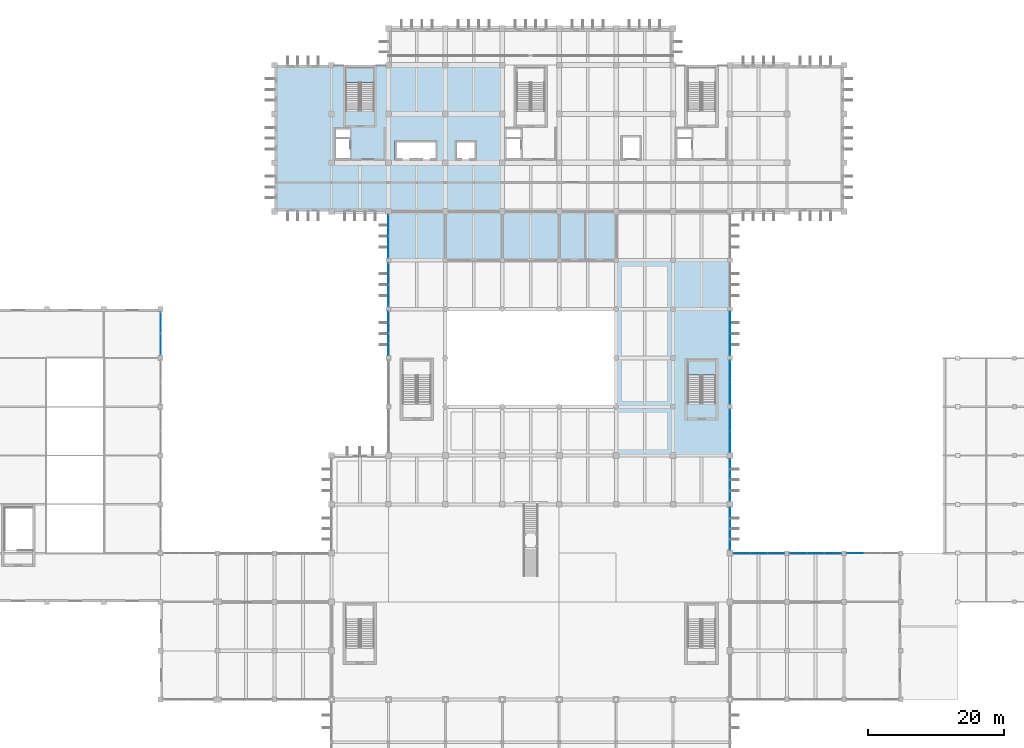
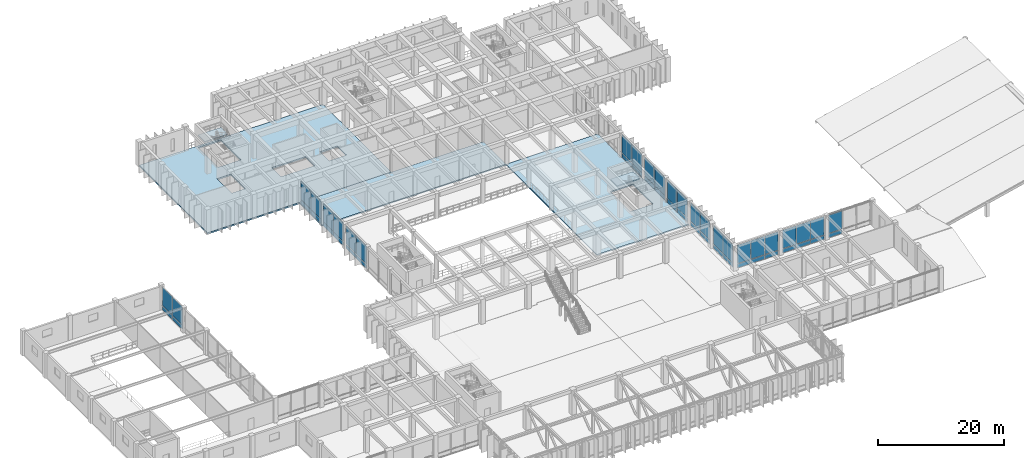
# One storey, part 29 of 51: 50 plates, 5 slabs, 14 elements without a shape of their own.
"""IFC4 building model written with IfcOpenShell, lengths in metres."""

from ifc_helpers import new_model, si_unit, direction, frame, origin, origin_2d, place, context, subcontext, project, spatial, polyline, rectangle, outline, extrude, material, layer, layer_set, type_object, element, aggregate, save


model = new_model("IFC4")

# Units and contexts
model_context = context("Model", 3, precision=1e-05, world=origin(), true_north=direction((0.0, 1.0)))
body_context = subcontext(model_context, "Body", "Model", "MODEL_VIEW")
ifc_project = project(units=[si_unit("LENGTHUNIT", "METRE"), si_unit("AREAUNIT", "SQUARE_METRE"), si_unit("VOLUMEUNIT", "CUBIC_METRE"), si_unit("PLANEANGLEUNIT", "RADIAN"), si_unit("MASSUNIT", "GRAM", prefix="KILO")], contexts=[model_context])

# Site, building, storey
site_placement = place(None, origin())
site = spatial("IfcSite", under=ifc_project, at=site_placement, CompositionType="ELEMENT")
building_placement = place(site_placement, origin())
building = spatial("IfcBuilding", under=site, at=building_placement, Name="Kenerak Square Central Library", CompositionType="ELEMENT")
storey_placement = place(building_placement, frame((0.0, 0.0, 9.60009765625)))
storey = spatial("IfcBuildingStorey", under=building, at=storey_placement, Name="L02", CompositionType="ELEMENT", Elevation=9.60009765625)

# Curtain wall, plates
ifc_material_1 = material(Name="Anodised aluminium and solar-control low-E glazing", Category="aluminium")
curtain_wall_type_1 = type_object("IfcCurtainWallType", Name="Curtain Wall CW-V3-64x45 6450x4550", PredefinedType="USERDEFINED", material=ifc_material_1)
curtain_wall_1_placement = place(storey_placement, origin())
curtain_wall_1 = element("IfcCurtainWall", 1, at=curtain_wall_1_placement, inside=storey, type_object=curtain_wall_type_1, Name="Curtain Wall CW-V3-64x45 L02 0067", ObjectType="CURTAIN WALL", PredefinedType="USERDEFINED")
ifc_material_2 = material(Name="Acoustic solar-control low-E double glazing", Category="glass")
ifc_layer_1 = layer(ifc_material_2, 0.028076171875)
ifc_layer_set_1 = layer_set([ifc_layer_1], Name="Acoustic solar-control low-E double glazing")
plate_type_1 = type_object("IfcPlateType", Name="Acoustic Laminated Curtain Panel CP-28", PredefinedType="CURTAIN_PANEL", material=ifc_layer_set_1)
plate_1_placement = place(storey_placement, frame((33.199951171875, 72.392578125, 0.080078125), z_axis=(0.0, 0.0, 1.0), x_axis=(0.0, -1.0, 0.0)))
plate_1 = element("IfcPlate", 2, at=plate_1_placement, type_object=plate_type_1, Name="CW-V3-64x45 Panel 1.1", PredefinedType="CURTAIN_PANEL", context=body_context, shape_type="SweptSolid", body=[
    extrude(rectangle(XDim=3.10498046875, YDim=0.028076171875, at=origin_2d()), origin(), (0.0, 0.0, 1.0), 0.780029296875),
])
plate_2_placement = place(storey_placement, frame((33.199951171875, 72.392578125, 0.93994140625), z_axis=(0.0, 0.0, 1.0), x_axis=(0.0, -1.0, 0.0)))
plate_2 = element("IfcPlate", 3, at=plate_2_placement, type_object=plate_type_1, Name="CW-V3-64x45 Panel 1.2", PredefinedType="CURTAIN_PANEL", context=body_context, shape_type="SweptSolid", body=[
    extrude(rectangle(XDim=3.10498046875, YDim=0.028076171875, at=origin_2d()), origin(), (0.0, 0.0, 1.0), 3.530029296875),
])
plate_3_placement = place(storey_placement, frame((33.199951171875, 69.20751953125, 0.080078125), z_axis=(0.0, 0.0, 1.0), x_axis=(0.0, -1.0, 0.0)))
plate_3 = element("IfcPlate", 4, at=plate_3_placement, type_object=plate_type_1, Name="CW-V3-64x45 Panel 2.1", PredefinedType="CURTAIN_PANEL", context=body_context, shape_type="SweptSolid", body=[
    extrude(rectangle(XDim=3.10498046875, YDim=0.028076171875, at=origin_2d()), origin(), (0.0, 0.0, 1.0), 0.780029296875),
])
plate_4_placement = place(storey_placement, frame((33.199951171875, 69.20751953125, 0.93994140625), z_axis=(0.0, 0.0, 1.0), x_axis=(0.0, -1.0, 0.0)))
plate_4 = element("IfcPlate", 5, at=plate_4_placement, type_object=plate_type_1, Name="CW-V3-64x45 Panel 2.2", PredefinedType="CURTAIN_PANEL", context=body_context, shape_type="SweptSolid", body=[
    extrude(rectangle(XDim=3.10498046875, YDim=0.028076171875, at=origin_2d()), origin(), (0.0, 0.0, 1.0), 3.530029296875),
])
aggregate(curtain_wall_1, [plate_1, plate_2, plate_3, plate_4])

# Slabs
ifc_material_3 = material(Name="Concrete C40/50", Category="concrete")
ifc_layer_2 = layer(ifc_material_3, 0.22509765625)
ifc_layer_set_2 = layer_set([ifc_layer_2], Name="Concrete C40/50")
slab_type_1 = type_object("IfcSlabType", Name="General Reading Room Slab FS-225 C40/50", PredefinedType="FLOOR", material=ifc_layer_set_2)
slab_1_placement = place(storey_placement, frame((0.0, 0.0, -0.22509765625)))
element("IfcSlab", 6, at=slab_1_placement, inside=storey, type_object=slab_type_1, Name="V4 Floor Slab L02 045", PredefinedType="FLOOR", context=body_context, shape_type="SweptSolid", body=[
    extrude(outline(polyline([(66.800048828125, 81.60009765625), (66.800048828125, 88.800048828125), (100.39990234375, 88.800048828125), (100.39990234375, 81.60009765625), (66.800048828125, 81.60009765625)])), origin(), (0.0, 0.0, 1.0), 0.22509765625),
])
slab_2_placement = place(storey_placement, frame((0.0, 0.0, -0.22509765625)))
element("IfcSlab", 7, at=slab_2_placement, inside=storey, type_object=slab_type_1, Name="V4 Floor Slab L02 046", PredefinedType="FLOOR", context=body_context, shape_type="SweptSolid", body=[
    extrude(outline(polyline([(100.39990234375, 81.60009765625), (117.199951171875, 81.60009765625), (117.199951171875, 52.800048828125), (100.39990234375, 52.800048828125), (100.39990234375, 60.0), (100.39990234375, 74.39990234375), (100.39990234375, 81.60009765625)]), holes=[polyline([(115.080078125, 60.449951171875), (115.080078125, 66.800048828125), (110.919921875, 66.800048828125), (110.919921875, 60.449951171875), (115.080078125, 60.449951171875)])]), origin(), (0.0, 0.0, 1.0), 0.22509765625),
])

# Curtain wall, plates
curtain_wall_type_2 = type_object("IfcCurtainWallType", Name="Curtain Wall CW-V4-65x45 6500x4550", PredefinedType="USERDEFINED", material=ifc_material_1)
curtain_wall_2_placement = place(storey_placement, origin())
curtain_wall_2 = element("IfcCurtainWall", 8, at=curtain_wall_2_placement, inside=storey, type_object=curtain_wall_type_2, Name="Curtain Wall CW-V4-65x45 L02 0079", ObjectType="CURTAIN WALL", PredefinedType="USERDEFINED")
ifc_material_4 = material(Name="Solar-control low-E laminated double glazing", Category="glass")
ifc_layer_3 = layer(ifc_material_4, 0.02392578125)
ifc_layer_set_3 = layer_set([ifc_layer_3], Name="Solar-control low-E laminated double glazing")
plate_type_2 = type_object("IfcPlateType", Name="Low-E Double Glazed Curtain Panel CP-24", PredefinedType="CURTAIN_PANEL", material=ifc_layer_set_3)
plate_5_placement = place(storey_placement, frame((66.800048828125, 69.191162109375, 0.06494140625), z_axis=(0.0, 0.0, 1.0), x_axis=(0.0, 1.0, 0.0)))
plate_5 = element("IfcPlate", 9, at=plate_5_placement, type_object=plate_type_2, Name="CW-V4-65x45 Panel 1.1", PredefinedType="CURTAIN_PANEL", context=body_context, shape_type="SweptSolid", body=[
    extrude(rectangle(XDim=3.152587890625, YDim=0.02392578125, at=origin_2d()), origin(), (0.0, 0.0, 1.0), 0.802490234375),
])
plate_6_placement = place(storey_placement, frame((66.800048828125, 69.191162109375, 0.9326171875), z_axis=(0.0, 0.0, 1.0), x_axis=(0.0, 1.0, 0.0)))
plate_6 = element("IfcPlate", 10, at=plate_6_placement, type_object=plate_type_2, Name="CW-V4-65x45 Panel 1.2", PredefinedType="CURTAIN_PANEL", context=body_context, shape_type="SweptSolid", body=[
    extrude(rectangle(XDim=3.152587890625, YDim=0.02392578125, at=origin_2d()), origin(), (0.0, 0.0, 1.0), 3.552490234375),
])
plate_7_placement = place(storey_placement, frame((66.800048828125, 72.40869140625, 0.06494140625), z_axis=(0.0, 0.0, 1.0), x_axis=(0.0, 1.0, 0.0)))
plate_7 = element("IfcPlate", 11, at=plate_7_placement, type_object=plate_type_2, Name="CW-V4-65x45 Panel 2.1", PredefinedType="CURTAIN_PANEL", context=body_context, shape_type="SweptSolid", body=[
    extrude(rectangle(XDim=3.152587890625, YDim=0.02392578125, at=origin_2d()), origin(), (0.0, 0.0, 1.0), 0.802490234375),
])
plate_8_placement = place(storey_placement, frame((66.800048828125, 72.40869140625, 0.9326171875), z_axis=(0.0, 0.0, 1.0), x_axis=(0.0, 1.0, 0.0)))
plate_8 = element("IfcPlate", 12, at=plate_8_placement, type_object=plate_type_2, Name="CW-V4-65x45 Panel 2.2", PredefinedType="CURTAIN_PANEL", context=body_context, shape_type="SweptSolid", body=[
    extrude(rectangle(XDim=3.152587890625, YDim=0.02392578125, at=origin_2d()), origin(), (0.0, 0.0, 1.0), 3.552490234375),
])
aggregate(curtain_wall_2, [plate_5, plate_6, plate_7, plate_8])

curtain_wall_3_placement = place(storey_placement, origin())
curtain_wall_3 = element("IfcCurtainWall", 13, at=curtain_wall_3_placement, inside=storey, type_object=curtain_wall_type_2, Name="Curtain Wall CW-V4-65x45 L02 0080", ObjectType="CURTAIN WALL", PredefinedType="USERDEFINED")
plate_9_placement = place(storey_placement, frame((66.800048828125, 76.391357421875, 0.06494140625), z_axis=(0.0, 0.0, 1.0), x_axis=(0.0, 1.0, 0.0)))
plate_9 = element("IfcPlate", 14, at=plate_9_placement, type_object=plate_type_2, Name="CW-V4-65x45 Panel 1.1", PredefinedType="CURTAIN_PANEL", context=body_context, shape_type="SweptSolid", body=[
    extrude(rectangle(XDim=3.152587890625, YDim=0.02392578125, at=origin_2d()), origin(), (0.0, 0.0, 1.0), 0.802490234375),
])
plate_10_placement = place(storey_placement, frame((66.800048828125, 76.391357421875, 0.9326171875), z_axis=(0.0, 0.0, 1.0), x_axis=(0.0, 1.0, 0.0)))
plate_10 = element("IfcPlate", 15, at=plate_10_placement, type_object=plate_type_2, Name="CW-V4-65x45 Panel 1.2", PredefinedType="CURTAIN_PANEL", context=body_context, shape_type="SweptSolid", body=[
    extrude(rectangle(XDim=3.152587890625, YDim=0.02392578125, at=origin_2d()), origin(), (0.0, 0.0, 1.0), 3.552490234375),
])
plate_11_placement = place(storey_placement, frame((66.800048828125, 79.608642578125, 0.06494140625), z_axis=(0.0, 0.0, 1.0), x_axis=(0.0, 1.0, 0.0)))
plate_11 = element("IfcPlate", 16, at=plate_11_placement, type_object=plate_type_2, Name="CW-V4-65x45 Panel 2.1", PredefinedType="CURTAIN_PANEL", context=body_context, shape_type="SweptSolid", body=[
    extrude(rectangle(XDim=3.152587890625, YDim=0.02392578125, at=origin_2d()), origin(), (0.0, 0.0, 1.0), 0.802490234375),
])
plate_12_placement = place(storey_placement, frame((66.800048828125, 79.608642578125, 0.9326171875), z_axis=(0.0, 0.0, 1.0), x_axis=(0.0, 1.0, 0.0)))
plate_12 = element("IfcPlate", 17, at=plate_12_placement, type_object=plate_type_2, Name="CW-V4-65x45 Panel 2.2", PredefinedType="CURTAIN_PANEL", context=body_context, shape_type="SweptSolid", body=[
    extrude(rectangle(XDim=3.152587890625, YDim=0.02392578125, at=origin_2d()), origin(), (0.0, 0.0, 1.0), 3.552490234375),
])
aggregate(curtain_wall_3, [plate_9, plate_10, plate_11, plate_12])

curtain_wall_type_3 = type_object("IfcCurtainWallType", Name="Curtain Wall CW-V4-64x45 6425x4550", PredefinedType="USERDEFINED", material=ifc_material_1)
curtain_wall_4_placement = place(storey_placement, origin())
curtain_wall_4 = element("IfcCurtainWall", 18, at=curtain_wall_4_placement, inside=storey, type_object=curtain_wall_type_3, Name="Curtain Wall CW-V4-64x45 L02 0081", ObjectType="CURTAIN WALL", PredefinedType="USERDEFINED")
plate_13_placement = place(storey_placement, frame((66.800048828125, 83.572509765625, 0.06494140625), z_axis=(0.0, 0.0, 1.0), x_axis=(0.0, 1.0, 0.0)))
plate_13 = element("IfcPlate", 19, at=plate_13_placement, type_object=plate_type_2, Name="CW-V4-64x45 Panel 1.1", PredefinedType="CURTAIN_PANEL", context=body_context, shape_type="SweptSolid", body=[
    extrude(rectangle(XDim=3.114990234375, YDim=0.02392578125, at=origin_2d()), origin(), (0.0, 0.0, 1.0), 0.802490234375),
])
plate_14_placement = place(storey_placement, frame((66.800048828125, 83.572509765625, 0.9326171875), z_axis=(0.0, 0.0, 1.0), x_axis=(0.0, 1.0, 0.0)))
plate_14 = element("IfcPlate", 20, at=plate_14_placement, type_object=plate_type_2, Name="CW-V4-64x45 Panel 1.2", PredefinedType="CURTAIN_PANEL", context=body_context, shape_type="SweptSolid", body=[
    extrude(rectangle(XDim=3.114990234375, YDim=0.02392578125, at=origin_2d()), origin(), (0.0, 0.0, 1.0), 3.552490234375),
])
plate_15_placement = place(storey_placement, frame((66.800048828125, 86.75244140625, 0.06494140625), z_axis=(0.0, 0.0, 1.0), x_axis=(0.0, 1.0, 0.0)))
plate_15 = element("IfcPlate", 21, at=plate_15_placement, type_object=plate_type_2, Name="CW-V4-64x45 Panel 2.1", PredefinedType="CURTAIN_PANEL", context=body_context, shape_type="SweptSolid", body=[
    extrude(rectangle(XDim=3.114990234375, YDim=0.02392578125, at=origin_2d()), origin(), (0.0, 0.0, 1.0), 0.802490234375),
])
plate_16_placement = place(storey_placement, frame((66.800048828125, 86.75244140625, 0.9326171875), z_axis=(0.0, 0.0, 1.0), x_axis=(0.0, 1.0, 0.0)))
plate_16 = element("IfcPlate", 22, at=plate_16_placement, type_object=plate_type_2, Name="CW-V4-64x45 Panel 2.2", PredefinedType="CURTAIN_PANEL", context=body_context, shape_type="SweptSolid", body=[
    extrude(rectangle(XDim=3.114990234375, YDim=0.02392578125, at=origin_2d()), origin(), (0.0, 0.0, 1.0), 3.552490234375),
])
aggregate(curtain_wall_4, [plate_13, plate_14, plate_15, plate_16])

curtain_wall_5_placement = place(storey_placement, origin())
curtain_wall_5 = element("IfcCurtainWall", 23, at=curtain_wall_5_placement, inside=storey, type_object=curtain_wall_type_2, Name="Curtain Wall CW-V4-65x45 L02 0084", ObjectType="CURTAIN WALL", PredefinedType="USERDEFINED")
plate_17_placement = place(storey_placement, frame((117.199951171875, 72.40869140625, 0.06494140625), z_axis=(0.0, 0.0, 1.0), x_axis=(0.0, -1.0, 0.0)))
plate_17 = element("IfcPlate", 24, at=plate_17_placement, type_object=plate_type_2, Name="CW-V4-65x45 Panel 1.1", PredefinedType="CURTAIN_PANEL", context=body_context, shape_type="SweptSolid", body=[
    extrude(rectangle(XDim=3.152587890625, YDim=0.02392578125, at=origin_2d()), origin(), (0.0, 0.0, 1.0), 0.802490234375),
])
plate_18_placement = place(storey_placement, frame((117.199951171875, 72.40869140625, 0.9326171875), z_axis=(0.0, 0.0, 1.0), x_axis=(0.0, -1.0, 0.0)))
plate_18 = element("IfcPlate", 25, at=plate_18_placement, type_object=plate_type_2, Name="CW-V4-65x45 Panel 1.2", PredefinedType="CURTAIN_PANEL", context=body_context, shape_type="SweptSolid", body=[
    extrude(rectangle(XDim=3.152587890625, YDim=0.02392578125, at=origin_2d()), origin(), (0.0, 0.0, 1.0), 3.552490234375),
])
plate_19_placement = place(storey_placement, frame((117.199951171875, 69.191162109375, 0.06494140625), z_axis=(0.0, 0.0, 1.0), x_axis=(0.0, -1.0, 0.0)))
plate_19 = element("IfcPlate", 26, at=plate_19_placement, type_object=plate_type_2, Name="CW-V4-65x45 Panel 2.1", PredefinedType="CURTAIN_PANEL", context=body_context, shape_type="SweptSolid", body=[
    extrude(rectangle(XDim=3.152587890625, YDim=0.02392578125, at=origin_2d()), origin(), (0.0, 0.0, 1.0), 0.802490234375),
])
plate_20_placement = place(storey_placement, frame((117.199951171875, 69.191162109375, 0.9326171875), z_axis=(0.0, 0.0, 1.0), x_axis=(0.0, -1.0, 0.0)))
plate_20 = element("IfcPlate", 27, at=plate_20_placement, type_object=plate_type_2, Name="CW-V4-65x45 Panel 2.2", PredefinedType="CURTAIN_PANEL", context=body_context, shape_type="SweptSolid", body=[
    extrude(rectangle(XDim=3.152587890625, YDim=0.02392578125, at=origin_2d()), origin(), (0.0, 0.0, 1.0), 3.552490234375),
])
aggregate(curtain_wall_5, [plate_17, plate_18, plate_19, plate_20])

curtain_wall_6_placement = place(storey_placement, origin())
curtain_wall_6 = element("IfcCurtainWall", 28, at=curtain_wall_6_placement, inside=storey, type_object=curtain_wall_type_2, Name="Curtain Wall CW-V4-65x45 L02 0085", ObjectType="CURTAIN WALL", PredefinedType="USERDEFINED")
plate_21_placement = place(storey_placement, frame((117.199951171875, 65.208740234375, 0.06494140625), z_axis=(0.0, 0.0, 1.0), x_axis=(0.0, -1.0, 0.0)))
plate_21 = element("IfcPlate", 29, at=plate_21_placement, type_object=plate_type_2, Name="CW-V4-65x45 Panel 1.1", PredefinedType="CURTAIN_PANEL", context=body_context, shape_type="SweptSolid", body=[
    extrude(rectangle(XDim=3.152587890625, YDim=0.02392578125, at=origin_2d()), origin(), (0.0, 0.0, 1.0), 0.802490234375),
])
plate_22_placement = place(storey_placement, frame((117.199951171875, 65.208740234375, 0.9326171875), z_axis=(0.0, 0.0, 1.0), x_axis=(0.0, -1.0, 0.0)))
plate_22 = element("IfcPlate", 30, at=plate_22_placement, type_object=plate_type_2, Name="CW-V4-65x45 Panel 1.2", PredefinedType="CURTAIN_PANEL", context=body_context, shape_type="SweptSolid", body=[
    extrude(rectangle(XDim=3.152587890625, YDim=0.02392578125, at=origin_2d()), origin(), (0.0, 0.0, 1.0), 3.552490234375),
])
plate_23_placement = place(storey_placement, frame((117.199951171875, 61.9912109375, 0.06494140625), z_axis=(0.0, 0.0, 1.0), x_axis=(0.0, -1.0, 0.0)))
plate_23 = element("IfcPlate", 31, at=plate_23_placement, type_object=plate_type_2, Name="CW-V4-65x45 Panel 2.1", PredefinedType="CURTAIN_PANEL", context=body_context, shape_type="SweptSolid", body=[
    extrude(rectangle(XDim=3.152587890625, YDim=0.02392578125, at=origin_2d()), origin(), (0.0, 0.0, 1.0), 0.802490234375),
])
plate_24_placement = place(storey_placement, frame((117.199951171875, 61.9912109375, 0.9326171875), z_axis=(0.0, 0.0, 1.0), x_axis=(0.0, -1.0, 0.0)))
plate_24 = element("IfcPlate", 32, at=plate_24_placement, type_object=plate_type_2, Name="CW-V4-65x45 Panel 2.2", PredefinedType="CURTAIN_PANEL", context=body_context, shape_type="SweptSolid", body=[
    extrude(rectangle(XDim=3.152587890625, YDim=0.02392578125, at=origin_2d()), origin(), (0.0, 0.0, 1.0), 3.552490234375),
])
aggregate(curtain_wall_6, [plate_21, plate_22, plate_23, plate_24])

curtain_wall_type_4 = type_object("IfcCurtainWallType", Name="Curtain Wall CW-V4-64x45 6400x4550", PredefinedType="USERDEFINED", material=ifc_material_1)
curtain_wall_7_placement = place(storey_placement, origin())
curtain_wall_7 = element("IfcCurtainWall", 33, at=curtain_wall_7_placement, inside=storey, type_object=curtain_wall_type_4, Name="Curtain Wall CW-V4-64x45 L02 0086", ObjectType="CURTAIN WALL", PredefinedType="USERDEFINED")
plate_25_placement = place(storey_placement, frame((117.199951171875, 58.03369140625, 0.06494140625), z_axis=(0.0, 0.0, 1.0), x_axis=(0.0, -1.0, 0.0)))
plate_25 = element("IfcPlate", 34, at=plate_25_placement, type_object=plate_type_2, Name="CW-V4-64x45 Panel 1.1", PredefinedType="CURTAIN_PANEL", context=body_context, shape_type="SweptSolid", body=[
    extrude(rectangle(XDim=3.1025390625, YDim=0.02392578125, at=origin_2d()), origin(), (0.0, 0.0, 1.0), 0.802490234375),
])
plate_26_placement = place(storey_placement, frame((117.199951171875, 58.03369140625, 0.9326171875), z_axis=(0.0, 0.0, 1.0), x_axis=(0.0, -1.0, 0.0)))
plate_26 = element("IfcPlate", 35, at=plate_26_placement, type_object=plate_type_2, Name="CW-V4-64x45 Panel 1.2", PredefinedType="CURTAIN_PANEL", context=body_context, shape_type="SweptSolid", body=[
    extrude(rectangle(XDim=3.1025390625, YDim=0.02392578125, at=origin_2d()), origin(), (0.0, 0.0, 1.0), 3.552490234375),
])
plate_27_placement = place(storey_placement, frame((117.199951171875, 54.8662109375, 0.06494140625), z_axis=(0.0, 0.0, 1.0), x_axis=(0.0, -1.0, 0.0)))
plate_27 = element("IfcPlate", 36, at=plate_27_placement, type_object=plate_type_2, Name="CW-V4-64x45 Panel 2.1", PredefinedType="CURTAIN_PANEL", context=body_context, shape_type="SweptSolid", body=[
    extrude(rectangle(XDim=3.1025390625, YDim=0.02392578125, at=origin_2d()), origin(), (0.0, 0.0, 1.0), 0.802490234375),
])
plate_28_placement = place(storey_placement, frame((117.199951171875, 54.8662109375, 0.9326171875), z_axis=(0.0, 0.0, 1.0), x_axis=(0.0, -1.0, 0.0)))
plate_28 = element("IfcPlate", 37, at=plate_28_placement, type_object=plate_type_2, Name="CW-V4-64x45 Panel 2.2", PredefinedType="CURTAIN_PANEL", context=body_context, shape_type="SweptSolid", body=[
    extrude(rectangle(XDim=3.1025390625, YDim=0.02392578125, at=origin_2d()), origin(), (0.0, 0.0, 1.0), 3.552490234375),
])
aggregate(curtain_wall_7, [plate_25, plate_26, plate_27, plate_28])

curtain_wall_type_5 = type_object("IfcCurtainWallType", Name="Curtain Wall CW-V6-76x45 7600x4550", PredefinedType="USERDEFINED", material=ifc_material_1)
curtain_wall_8_placement = place(storey_placement, origin())
curtain_wall_8 = element("IfcCurtainWall", 38, at=curtain_wall_8_placement, inside=storey, type_object=curtain_wall_type_5, Name="Curtain Wall CW-V6-76x45 L02 0089", ObjectType="CURTAIN WALL", PredefinedType="USERDEFINED")
plate_29_placement = place(storey_placement, frame((118.932861328125, 38.39990234375, 0.06494140625), z_axis=(0.0, 0.0, 1.0), x_axis=(1.0, 0.0, 0.0)))
plate_29 = element("IfcPlate", 39, at=plate_29_placement, type_object=plate_type_2, Name="CW-V6-76x45 Panel 1.1", PredefinedType="CURTAIN_PANEL", context=body_context, shape_type="SweptSolid", body=[
    extrude(rectangle(XDim=2.435791015625, YDim=0.02392578125, at=origin_2d()), origin(), (0.0, 0.0, 1.0), 0.802490234375),
])
plate_30_placement = place(storey_placement, frame((118.932861328125, 38.39990234375, 0.9326171875), z_axis=(0.0, 0.0, 1.0), x_axis=(1.0, 0.0, 0.0)))
plate_30 = element("IfcPlate", 40, at=plate_30_placement, type_object=plate_type_2, Name="CW-V6-76x45 Panel 1.2", PredefinedType="CURTAIN_PANEL", context=body_context, shape_type="SweptSolid", body=[
    extrude(rectangle(XDim=2.435791015625, YDim=0.02392578125, at=origin_2d()), origin(), (0.0, 0.0, 1.0), 3.552490234375),
])
plate_31_placement = place(storey_placement, frame((121.449951171875, 38.39990234375, 0.06494140625), z_axis=(0.0, 0.0, 1.0), x_axis=(1.0, 0.0, 0.0)))
plate_31 = element("IfcPlate", 41, at=plate_31_placement, type_object=plate_type_2, Name="CW-V6-76x45 Panel 2.1", PredefinedType="CURTAIN_PANEL", context=body_context, shape_type="SweptSolid", body=[
    extrude(rectangle(XDim=2.46826171875, YDim=0.02392578125, at=origin_2d()), origin(), (0.0, 0.0, 1.0), 0.802490234375),
])
plate_32_placement = place(storey_placement, frame((121.449951171875, 38.39990234375, 0.9326171875), z_axis=(0.0, 0.0, 1.0), x_axis=(1.0, 0.0, 0.0)))
plate_32 = element("IfcPlate", 42, at=plate_32_placement, type_object=plate_type_2, Name="CW-V6-76x45 Panel 2.2", PredefinedType="CURTAIN_PANEL", context=body_context, shape_type="SweptSolid", body=[
    extrude(rectangle(XDim=2.46826171875, YDim=0.02392578125, at=origin_2d()), origin(), (0.0, 0.0, 1.0), 3.552490234375),
])
plate_33_placement = place(storey_placement, frame((123.967041015625, 38.39990234375, 0.06494140625), z_axis=(0.0, 0.0, 1.0), x_axis=(1.0, 0.0, 0.0)))
plate_33 = element("IfcPlate", 43, at=plate_33_placement, type_object=plate_type_2, Name="CW-V6-76x45 Panel 3.1", PredefinedType="CURTAIN_PANEL", context=body_context, shape_type="SweptSolid", body=[
    extrude(rectangle(XDim=2.435791015625, YDim=0.02392578125, at=origin_2d()), origin(), (0.0, 0.0, 1.0), 0.802490234375),
])
plate_34_placement = place(storey_placement, frame((123.967041015625, 38.39990234375, 0.9326171875), z_axis=(0.0, 0.0, 1.0), x_axis=(1.0, 0.0, 0.0)))
plate_34 = element("IfcPlate", 44, at=plate_34_placement, type_object=plate_type_2, Name="CW-V6-76x45 Panel 3.2", PredefinedType="CURTAIN_PANEL", context=body_context, shape_type="SweptSolid", body=[
    extrude(rectangle(XDim=2.435791015625, YDim=0.02392578125, at=origin_2d()), origin(), (0.0, 0.0, 1.0), 3.552490234375),
])
aggregate(curtain_wall_8, [plate_29, plate_30, plate_31, plate_32, plate_33, plate_34])

curtain_wall_type_6 = type_object("IfcCurtainWallType", Name="Curtain Wall CW-V6-77x45 7700x4550", PredefinedType="USERDEFINED", material=ifc_material_1)
curtain_wall_9_placement = place(storey_placement, origin())
curtain_wall_9 = element("IfcCurtainWall", 45, at=curtain_wall_9_placement, inside=storey, type_object=curtain_wall_type_6, Name="Curtain Wall CW-V6-77x45 L02 0090", ObjectType="CURTAIN WALL", PredefinedType="USERDEFINED")
plate_35_placement = place(storey_placement, frame((127.24951171875, 38.39990234375, 0.06494140625), z_axis=(0.0, 0.0, 1.0), x_axis=(1.0, 0.0, 0.0)))
plate_35 = element("IfcPlate", 46, at=plate_35_placement, type_object=plate_type_2, Name="CW-V6-77x45 Panel 1.1", PredefinedType="CURTAIN_PANEL", context=body_context, shape_type="SweptSolid", body=[
    extrude(rectangle(XDim=2.46923828125, YDim=0.02392578125, at=origin_2d()), origin(), (0.0, 0.0, 1.0), 0.802490234375),
])
plate_36_placement = place(storey_placement, frame((127.24951171875, 38.39990234375, 0.9326171875), z_axis=(0.0, 0.0, 1.0), x_axis=(1.0, 0.0, 0.0)))
plate_36 = element("IfcPlate", 47, at=plate_36_placement, type_object=plate_type_2, Name="CW-V6-77x45 Panel 1.2", PredefinedType="CURTAIN_PANEL", context=body_context, shape_type="SweptSolid", body=[
    extrude(rectangle(XDim=2.46923828125, YDim=0.02392578125, at=origin_2d()), origin(), (0.0, 0.0, 1.0), 3.552490234375),
])
plate_37_placement = place(storey_placement, frame((129.800048828125, 38.39990234375, 0.06494140625), z_axis=(0.0, 0.0, 1.0), x_axis=(1.0, 0.0, 0.0)))
plate_37 = element("IfcPlate", 48, at=plate_37_placement, type_object=plate_type_2, Name="CW-V6-77x45 Panel 2.1", PredefinedType="CURTAIN_PANEL", context=body_context, shape_type="SweptSolid", body=[
    extrude(rectangle(XDim=2.501708984375, YDim=0.02392578125, at=origin_2d()), origin(), (0.0, 0.0, 1.0), 0.802490234375),
])
plate_38_placement = place(storey_placement, frame((129.800048828125, 38.39990234375, 0.9326171875), z_axis=(0.0, 0.0, 1.0), x_axis=(1.0, 0.0, 0.0)))
plate_38 = element("IfcPlate", 49, at=plate_38_placement, type_object=plate_type_2, Name="CW-V6-77x45 Panel 2.2", PredefinedType="CURTAIN_PANEL", context=body_context, shape_type="SweptSolid", body=[
    extrude(rectangle(XDim=2.501708984375, YDim=0.02392578125, at=origin_2d()), origin(), (0.0, 0.0, 1.0), 3.552490234375),
])
plate_39_placement = place(storey_placement, frame((132.350341796875, 38.39990234375, 0.06494140625), z_axis=(0.0, 0.0, 1.0), x_axis=(1.0, 0.0, 0.0)))
plate_39 = element("IfcPlate", 50, at=plate_39_placement, type_object=plate_type_2, Name="CW-V6-77x45 Panel 3.1", PredefinedType="CURTAIN_PANEL", context=body_context, shape_type="SweptSolid", body=[
    extrude(rectangle(XDim=2.46923828125, YDim=0.02392578125, at=origin_2d()), origin(), (0.0, 0.0, 1.0), 0.802490234375),
])
plate_40_placement = place(storey_placement, frame((132.350341796875, 38.39990234375, 0.9326171875), z_axis=(0.0, 0.0, 1.0), x_axis=(1.0, 0.0, 0.0)))
plate_40 = element("IfcPlate", 51, at=plate_40_placement, type_object=plate_type_2, Name="CW-V6-77x45 Panel 3.2", PredefinedType="CURTAIN_PANEL", context=body_context, shape_type="SweptSolid", body=[
    extrude(rectangle(XDim=2.46923828125, YDim=0.02392578125, at=origin_2d()), origin(), (0.0, 0.0, 1.0), 3.552490234375),
])
aggregate(curtain_wall_9, [plate_35, plate_36, plate_37, plate_38, plate_39, plate_40])

curtain_wall_10_placement = place(storey_placement, origin())
curtain_wall_10 = element("IfcCurtainWall", 52, at=curtain_wall_10_placement, inside=storey, type_object=curtain_wall_type_6, Name="Curtain Wall CW-V6-77x45 L02 0091", ObjectType="CURTAIN WALL", PredefinedType="USERDEFINED")
plate_41_placement = place(storey_placement, frame((135.649658203125, 38.39990234375, 0.06494140625), z_axis=(0.0, 0.0, 1.0), x_axis=(1.0, 0.0, 0.0)))
plate_41 = element("IfcPlate", 53, at=plate_41_placement, type_object=plate_type_2, Name="CW-V6-77x45 Panel 1.1", PredefinedType="CURTAIN_PANEL", context=body_context, shape_type="SweptSolid", body=[
    extrude(rectangle(XDim=2.46923828125, YDim=0.02392578125, at=origin_2d()), origin(), (0.0, 0.0, 1.0), 0.802490234375),
])
plate_42_placement = place(storey_placement, frame((135.649658203125, 38.39990234375, 0.9326171875), z_axis=(0.0, 0.0, 1.0), x_axis=(1.0, 0.0, 0.0)))
plate_42 = element("IfcPlate", 54, at=plate_42_placement, type_object=plate_type_2, Name="CW-V6-77x45 Panel 1.2", PredefinedType="CURTAIN_PANEL", context=body_context, shape_type="SweptSolid", body=[
    extrude(rectangle(XDim=2.46923828125, YDim=0.02392578125, at=origin_2d()), origin(), (0.0, 0.0, 1.0), 3.552490234375),
])
aggregate(curtain_wall_10, [plate_41, plate_42])

# Slab
ifc_layer_4 = layer(ifc_material_3, 0.27490234375)
ifc_layer_set_4 = layer_set([ifc_layer_4], Name="Concrete C40/50")
slab_type_2 = type_object("IfcSlabType", Name="Open Book-Stack Slab FS-275 C40/50", PredefinedType="FLOOR", material=ifc_layer_set_4)
slab_3_placement = place(storey_placement, frame((0.0, 0.0, -0.275146484375)))
element("IfcSlab", 55, at=slab_3_placement, inside=storey, type_object=slab_type_2, Name="V5 Floor Slab L02 081", PredefinedType="FLOOR", context=body_context, shape_type="SweptSolid", body=[
    extrude(outline(polyline([(50.0, 88.800048828125), (50.0, 110.39990234375), (83.60009765625, 110.39990234375), (83.60009765625, 88.800048828125), (50.0, 88.800048828125)]), holes=[polyline([(64.679931640625, 103.64990234375), (64.679931640625, 110.0), (60.52001953125, 110.0), (60.52001953125, 103.64990234375), (64.679931640625, 103.64990234375)]), polyline([(67.800048828125, 96.39990234375), (74.0, 96.39990234375), (74.0, 99.300048828125), (67.800048828125, 99.300048828125), (67.800048828125, 96.39990234375)]), polyline([(76.60009765625, 96.39990234375), (79.800048828125, 96.39990234375), (79.800048828125, 99.300048828125), (76.60009765625, 99.300048828125), (76.60009765625, 96.39990234375)]), polyline([(58.800048828125, 96.39990234375), (61.300048828125, 96.39990234375), (61.300048828125, 101.0), (58.800048828125, 101.0), (58.800048828125, 96.39990234375)])]), origin(), (0.0, 0.0, 1.0), 0.275146484375),
])

# Stair, slab
stair_type = type_object("IfcStairType", Name="Exit Dogleg Stair ST-480 C40/50", PredefinedType="HALF_TURN_STAIR", material=ifc_material_3)
stair_1_placement = place(storey_placement, origin())
stair_1 = element("IfcStair", 56, at=stair_1_placement, inside=storey, type_object=stair_type, Name="L02 Protected Exit Stair ST-01", PredefinedType="HALF_TURN_STAIR")
ifc_layer_5 = layer(ifc_material_3, 0.199951171875)
ifc_layer_set_5 = layer_set([ifc_layer_5], Name="Concrete C40/50")
slab_type_3 = type_object("IfcSlabType", Name="Stair Half-Landing Slab LD-200 C40/50", PredefinedType="LANDING", material=ifc_layer_set_5)
slab_4_placement = place(storey_placement, frame((0.0, 0.0, 2.199951171875)))
slab_4 = element("IfcSlab", 57, at=slab_4_placement, type_object=slab_type_3, Name="ST-01 Landing 1", PredefinedType="LANDING", context=body_context, shape_type="SweptSolid", body=[
    extrude(outline(polyline([(64.679931640625, 107.85009765625), (64.679931640625, 110.0), (60.52001953125, 110.0), (60.52001953125, 107.85009765625), (64.679931640625, 107.85009765625)])), origin(), (0.0, 0.0, 1.0), 0.199951171875),
])
aggregate(stair_1, [slab_4])

stair_2_placement = place(storey_placement, origin())
stair_2 = element("IfcStair", 58, at=stair_2_placement, inside=storey, type_object=stair_type, Name="L02 Protected Exit Stair ST-09", PredefinedType="HALF_TURN_STAIR")
slab_5_placement = place(storey_placement, frame((0.0, 0.0, 2.199951171875)))
slab_5 = element("IfcSlab", 59, at=slab_5_placement, type_object=slab_type_3, Name="ST-09 Landing 1", PredefinedType="LANDING", context=body_context, shape_type="SweptSolid", body=[
    extrude(outline(polyline([(115.080078125, 64.64990234375), (115.080078125, 66.800048828125), (110.919921875, 66.800048828125), (110.919921875, 64.64990234375), (115.080078125, 64.64990234375)])), origin(), (0.0, 0.0, 1.0), 0.199951171875),
])
aggregate(stair_2, [slab_5])

# Curtain wall, plates
curtain_wall_type_7 = type_object("IfcCurtainWallType", Name="Curtain Wall CW-V1-63x45 6300x4550", PredefinedType="USERDEFINED", material=ifc_material_1)
curtain_wall_11_placement = place(storey_placement, origin())
curtain_wall_11 = element("IfcCurtainWall", 60, at=curtain_wall_11_placement, inside=storey, type_object=curtain_wall_type_7, Name="Curtain Wall CW-V1-63x45 L02 0087", ObjectType="CURTAIN WALL", PredefinedType="USERDEFINED")
ifc_material_5 = material(Name="Triple-laminated solar-control low-E glazing", Category="glass")
ifc_layer_6 = layer(ifc_material_5, 0.031982421875)
ifc_layer_set_6 = layer_set([ifc_layer_6], Name="Triple-laminated solar-control low-E glazing")
plate_type_3 = type_object("IfcPlateType", Name="Triple-Laminated Reading Hall Panel CP-32", PredefinedType="CURTAIN_PANEL", material=ifc_layer_set_6)
plate_43_placement = place(storey_placement, frame((117.199951171875, 50.75634765625, 0.074951171875), z_axis=(0.0, 0.0, 1.0), x_axis=(0.0, -1.0, 0.0)))
plate_43 = element("IfcPlate", 61, at=plate_43_placement, type_object=plate_type_3, Name="CW-V1-63x45 Panel 1.1", PredefinedType="CURTAIN_PANEL", context=body_context, shape_type="SweptSolid", body=[
    extrude(rectangle(XDim=3.03759765625, YDim=0.031982421875, at=origin_2d()), origin(), (0.0, 0.0, 1.0), 0.78759765625),
])
plate_44_placement = place(storey_placement, frame((117.199951171875, 50.75634765625, 0.937255859375), z_axis=(0.0, 0.0, 1.0), x_axis=(0.0, -1.0, 0.0)))
plate_44 = element("IfcPlate", 62, at=plate_44_placement, type_object=plate_type_3, Name="CW-V1-63x45 Panel 1.2", PredefinedType="CURTAIN_PANEL", context=body_context, shape_type="SweptSolid", body=[
    extrude(rectangle(XDim=3.03759765625, YDim=0.031982421875, at=origin_2d()), origin(), (0.0, 0.0, 1.0), 3.53759765625),
])
plate_45_placement = place(storey_placement, frame((117.199951171875, 47.643798828125, 0.074951171875), z_axis=(0.0, 0.0, 1.0), x_axis=(0.0, -1.0, 0.0)))
plate_45 = element("IfcPlate", 63, at=plate_45_placement, type_object=plate_type_3, Name="CW-V1-63x45 Panel 2.1", PredefinedType="CURTAIN_PANEL", context=body_context, shape_type="SweptSolid", body=[
    extrude(rectangle(XDim=3.03759765625, YDim=0.031982421875, at=origin_2d()), origin(), (0.0, 0.0, 1.0), 0.78759765625),
])
plate_46_placement = place(storey_placement, frame((117.199951171875, 47.643798828125, 0.937255859375), z_axis=(0.0, 0.0, 1.0), x_axis=(0.0, -1.0, 0.0)))
plate_46 = element("IfcPlate", 64, at=plate_46_placement, type_object=plate_type_3, Name="CW-V1-63x45 Panel 2.2", PredefinedType="CURTAIN_PANEL", context=body_context, shape_type="SweptSolid", body=[
    extrude(rectangle(XDim=3.03759765625, YDim=0.031982421875, at=origin_2d()), origin(), (0.0, 0.0, 1.0), 3.53759765625),
])
aggregate(curtain_wall_11, [plate_43, plate_44, plate_45, plate_46])

curtain_wall_12_placement = place(storey_placement, origin())
curtain_wall_12 = element("IfcCurtainWall", 65, at=curtain_wall_12_placement, inside=storey, type_object=curtain_wall_type_7, Name="Curtain Wall CW-V1-63x45 L02 0088", ObjectType="CURTAIN WALL", PredefinedType="USERDEFINED")
plate_47_placement = place(storey_placement, frame((117.199951171875, 43.55615234375, 0.074951171875), z_axis=(0.0, 0.0, 1.0), x_axis=(0.0, -1.0, 0.0)))
plate_47 = element("IfcPlate", 66, at=plate_47_placement, type_object=plate_type_3, Name="CW-V1-63x45 Panel 1.1", PredefinedType="CURTAIN_PANEL", context=body_context, shape_type="SweptSolid", body=[
    extrude(rectangle(XDim=3.03759765625, YDim=0.031982421875, at=origin_2d()), origin(), (0.0, 0.0, 1.0), 0.78759765625),
])
plate_48_placement = place(storey_placement, frame((117.199951171875, 43.55615234375, 0.937255859375), z_axis=(0.0, 0.0, 1.0), x_axis=(0.0, -1.0, 0.0)))
plate_48 = element("IfcPlate", 67, at=plate_48_placement, type_object=plate_type_3, Name="CW-V1-63x45 Panel 1.2", PredefinedType="CURTAIN_PANEL", context=body_context, shape_type="SweptSolid", body=[
    extrude(rectangle(XDim=3.03759765625, YDim=0.031982421875, at=origin_2d()), origin(), (0.0, 0.0, 1.0), 3.53759765625),
])
plate_49_placement = place(storey_placement, frame((117.199951171875, 40.44384765625, 0.074951171875), z_axis=(0.0, 0.0, 1.0), x_axis=(0.0, -1.0, 0.0)))
plate_49 = element("IfcPlate", 68, at=plate_49_placement, type_object=plate_type_3, Name="CW-V1-63x45 Panel 2.1", PredefinedType="CURTAIN_PANEL", context=body_context, shape_type="SweptSolid", body=[
    extrude(rectangle(XDim=3.03759765625, YDim=0.031982421875, at=origin_2d()), origin(), (0.0, 0.0, 1.0), 0.78759765625),
])
plate_50_placement = place(storey_placement, frame((117.199951171875, 40.44384765625, 0.937255859375), z_axis=(0.0, 0.0, 1.0), x_axis=(0.0, -1.0, 0.0)))
plate_50 = element("IfcPlate", 69, at=plate_50_placement, type_object=plate_type_3, Name="CW-V1-63x45 Panel 2.2", PredefinedType="CURTAIN_PANEL", context=body_context, shape_type="SweptSolid", body=[
    extrude(rectangle(XDim=3.03759765625, YDim=0.031982421875, at=origin_2d()), origin(), (0.0, 0.0, 1.0), 3.53759765625),
])
aggregate(curtain_wall_12, [plate_47, plate_48, plate_49, plate_50])

save(model, "model.ifc")
